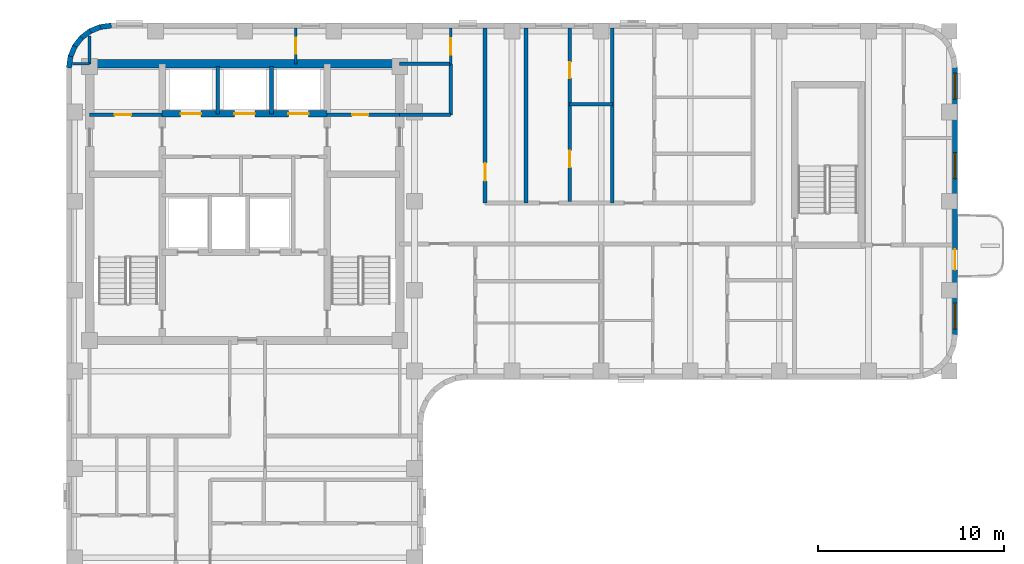
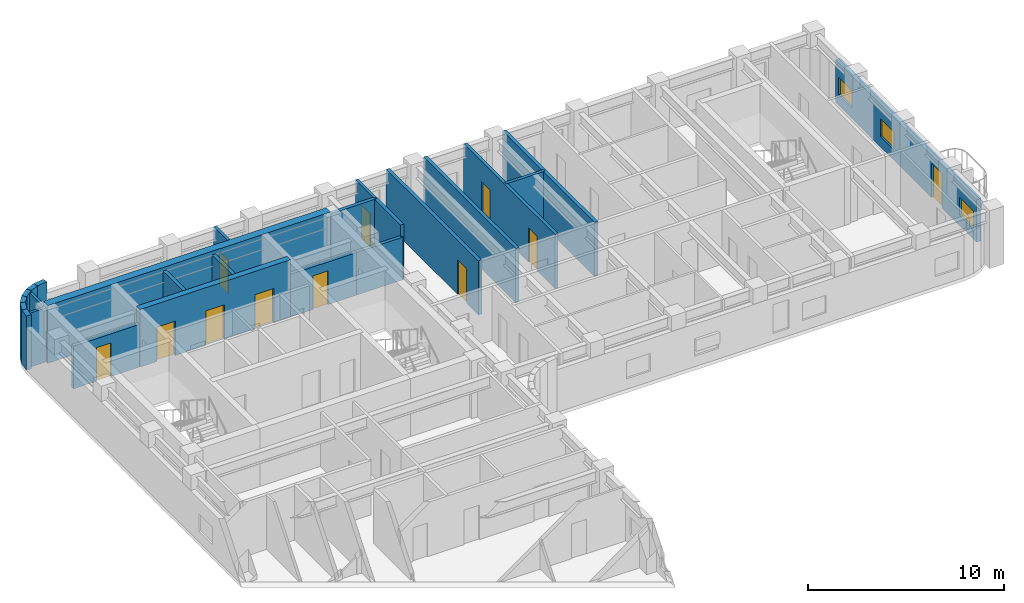
# One storey, part 6 of 10: 25 walls, 11 doors, 3 windows, 14 openings.
"""IFC4 building model written with IfcOpenShell, lengths in metres."""

from ifc_helpers import new_model, si_unit, direction, frame, frame_2d, origin, place, context, subcontext, project, spatial, rectangle, extrude, material, layer, layer_set, type_object, element, fill, save


model = new_model("IFC4")

# Units and contexts
model_context = context("Model", 3, precision=1e-05, world=origin(), true_north=direction((0.0, 1.0)))
body_context = subcontext(model_context, "Body", "Model", "MODEL_VIEW")
ifc_project = project(units=[si_unit("LENGTHUNIT", "METRE"), si_unit("AREAUNIT", "SQUARE_METRE"), si_unit("VOLUMEUNIT", "CUBIC_METRE"), si_unit("PLANEANGLEUNIT", "RADIAN"), si_unit("MASSUNIT", "GRAM", prefix="KILO")], contexts=[model_context])

# Site, building, storey
site_placement = place(None, origin())
site = spatial("IfcSite", under=ifc_project, at=site_placement, CompositionType="ELEMENT")
building_placement = place(site_placement, origin())
building = spatial("IfcBuilding", under=site, at=building_placement, Name="Orvandelia Arch Residences", CompositionType="ELEMENT")
storey_placement = place(building_placement, frame((0.0, 0.0, 225.39990234375)))
storey = spatial("IfcBuildingStorey", under=building, at=storey_placement, Name="L59", CompositionType="ELEMENT", Elevation=225.39990234375)

# Wall, openings, doors
ifc_material_1 = material(Name="Concrete C50/60", Category="concrete")
ifc_layer_1 = layer(ifc_material_1, 0.35009765625, Name="Concrete C50/60", Category="concrete")
ifc_layer_set_1 = layer_set([ifc_layer_1], Name="Concrete C50/60")
wall_type_1 = type_object("IfcWallType", Name="WL-CORE-350", PredefinedType="SHEAR", material=ifc_layer_set_1)
wall_1_placement = place(storey_placement, frame((9.9599609375, 43.10009765625, 0.0), z_axis=(0.0, 0.0, 1.0), x_axis=(1.0, 0.0, 0.0)))
wall_1 = element("IfcWall", 1, at=wall_1_placement, inside=storey, type_object=wall_type_1, Name="Core Shear Wall L59-HZ4", PredefinedType="SHEAR", context=body_context, shape_type="SweptSolid", body=[
    extrude(rectangle(XDim=8.880126953125, YDim=0.35009765625, at=frame_2d((4.43994140625, 0.0))), origin(), (0.0, 0.0, 1.0), 3.60009765625),
])
opening_1_placement = place(wall_1_placement, frame((0.989990234375, 0.0, 0.0)))
opening_1 = element("IfcOpeningElement", 2, at=opening_1_placement, cuts=wall_1, Name="Opening LD", PredefinedType="OPENING", context=body_context, shape_type="SweptSolid", body=[
    extrude(rectangle(XDim=1.10009765625, YDim=2.14990234375, at=frame_2d((0.550048828125, 1.074951171875))), frame((0.0, 0.18505859375, 0.0), z_axis=(0.0, -1.0, 0.0), x_axis=(1.0, 0.0, 0.0)), (0.0, 0.0, 1.0), 0.3701171875),
])
opening_2_placement = place(wall_1_placement, frame((3.889892578125, 0.0, 0.0)))
opening_2 = element("IfcOpeningElement", 3, at=opening_2_placement, cuts=wall_1, Name="Opening LD", PredefinedType="OPENING", context=body_context, shape_type="SweptSolid", body=[
    extrude(rectangle(XDim=1.10009765625, YDim=2.14990234375, at=frame_2d((0.550048828125, 1.074951171875))), frame((0.0, 0.18505859375, 0.0), z_axis=(0.0, -1.0, 0.0), x_axis=(1.0, 0.0, 0.0)), (0.0, 0.0, 1.0), 0.3701171875),
])
opening_3_placement = place(wall_1_placement, frame((6.7900390625, 0.0, 0.0)))
opening_3 = element("IfcOpeningElement", 4, at=opening_3_placement, cuts=wall_1, Name="Opening LD", PredefinedType="OPENING", context=body_context, shape_type="SweptSolid", body=[
    extrude(rectangle(XDim=1.10009765625, YDim=2.14990234375, at=frame_2d((0.550048828125, 1.074951171875))), frame((0.0, 0.18505859375, 0.0), z_axis=(0.0, -1.0, 0.0), x_axis=(1.0, 0.0, 0.0)), (0.0, 0.0, 1.0), 0.3701171875),
])
ifc_material_2 = material(Name="Brushed Stainless Steel Sliding Lift Door", Category="steel")
door_type_1 = type_object("IfcDoorType", Name="DR-LIFT-1100", OperationType="NOTDEFINED", PredefinedType="DOOR", material=ifc_material_2)
door_1_placement = place(opening_1_placement, origin())
door_1 = element("IfcDoor", 5, at=door_1_placement, inside=storey, type_object=door_type_1, Name="Lift Landing Door LD-PH1-L59", OperationType="SLIDING_TO_LEFT", OverallHeight=2.14990234375, OverallWidth=1.10009765625, PredefinedType="DOOR", context=body_context, shape_type="SweptSolid", body=[
    extrude(rectangle(XDim=1.10009765625, YDim=2.14990234375, at=frame_2d((0.550048828125, 1.074951171875))), frame((0.0, 0.02490234375, 0.0), z_axis=(0.0, -1.0, 0.0), x_axis=(1.0, 0.0, 0.0)), (0.0, 0.0, 1.0), 0.050048828125),
])
fill(opening_1, door_1)
door_2_placement = place(opening_2_placement, origin())
door_2 = element("IfcDoor", 6, at=door_2_placement, inside=storey, type_object=door_type_1, Name="Lift Landing Door LD-PH2-L59", OperationType="SLIDING_TO_RIGHT", OverallHeight=2.14990234375, OverallWidth=1.10009765625, PredefinedType="DOOR", context=body_context, shape_type="SweptSolid", body=[
    extrude(rectangle(XDim=1.10009765625, YDim=2.14990234375, at=frame_2d((0.550048828125, 1.074951171875))), frame((0.0, 0.02490234375, 0.0), z_axis=(0.0, -1.0, 0.0), x_axis=(1.0, 0.0, 0.0)), (0.0, 0.0, 1.0), 0.050048828125),
])
fill(opening_2, door_2)
door_3_placement = place(opening_3_placement, origin())
door_3 = element("IfcDoor", 7, at=door_3_placement, inside=storey, type_object=door_type_1, Name="Lift Landing Door LD-PH3-L59", OperationType="SLIDING_TO_LEFT", OverallHeight=2.14990234375, OverallWidth=1.10009765625, PredefinedType="DOOR", context=body_context, shape_type="SweptSolid", body=[
    extrude(rectangle(XDim=1.10009765625, YDim=2.14990234375, at=frame_2d((0.550048828125, 1.074951171875))), frame((0.0, 0.02490234375, 0.0), z_axis=(0.0, -1.0, 0.0), x_axis=(1.0, 0.0, 0.0)), (0.0, 0.0, 1.0), 0.050048828125),
])
fill(opening_3, door_3)

# Walls
ifc_layer_2 = layer(ifc_material_1, 0.449951171875, Name="Concrete C50/60", Category="concrete")
ifc_layer_set_2 = layer_set([ifc_layer_2], Name="Concrete C50/60")
wall_type_2 = type_object("IfcWallType", Name="WL-CORE-450", PredefinedType="SHEAR", material=ifc_layer_set_2)
wall_2_placement = place(storey_placement, frame((6.050048828125, 45.800048828125, 0.0), z_axis=(0.0, 0.0, 1.0), x_axis=(1.0, 0.0, 0.0)))
element("IfcWall", 8, at=wall_2_placement, inside=storey, type_object=wall_type_2, Name="Core Shear Wall L59-N", PredefinedType="SHEAR", context=body_context, shape_type="SweptSolid", body=[
    extrude(rectangle(XDim=16.699951171875, YDim=0.449951171875, at=frame_2d((8.35009765625, 0.0))), origin(), (0.0, 0.0, 1.0), 3.60009765625),
])
ifc_material_3 = material(Name="Fire-Rated Corridor Partition")
ifc_layer_3 = layer(ifc_material_3, 0.199951171875, Name="Fire-Rated Corridor Partition")
ifc_layer_set_3 = layer_set([ifc_layer_3], Name="Fire-Rated Corridor Partition")
wall_type_3 = type_object("IfcWallType", Name="WL-CORR-200", PredefinedType="PARTITIONING", material=ifc_layer_set_3)
wall_3_placement = place(storey_placement, frame((22.75, 45.800048828125, 0.0), z_axis=(0.0, 0.0, 1.0), x_axis=(1.0, 0.0, 0.0)))
element("IfcWall", 9, at=wall_3_placement, inside=storey, type_object=wall_type_3, Name="Interior Partition Wall WL-L59-NCE-S", PredefinedType="PARTITIONING", context=body_context, shape_type="SweptSolid", body=[
    extrude(rectangle(XDim=2.75, YDim=0.199951171875, at=frame_2d((1.375, 0.0))), origin(), (0.0, 0.0, 1.0), 3.380126953125),
])

# Wall, opening, door
wall_4_placement = place(storey_placement, frame((27.35009765625, 38.300048828125, 0.0), z_axis=(0.0, 0.0, 1.0), x_axis=(0.0, 1.0, 0.0)))
wall_4 = element("IfcWall", 10, at=wall_4_placement, inside=storey, type_object=wall_type_3, Name="Interior Partition Wall WL-L59-EM-NCE", PredefinedType="PARTITIONING", context=body_context, shape_type="SweptSolid", body=[
    extrude(rectangle(XDim=9.419921875, YDim=0.199951171875, at=frame_2d((4.7099609375, 0.0))), origin(), (0.0, 0.0, 1.0), 3.380126953125),
])
opening_4_placement = place(wall_4_placement, frame((1.199951171875, 0.0, 0.0)))
opening_4 = element("IfcOpeningElement", 11, at=opening_4_placement, cuts=wall_4, Name="Opening D2", PredefinedType="OPENING", context=body_context, shape_type="SweptSolid", body=[
    extrude(rectangle(XDim=0.949951171875, YDim=2.14990234375, at=frame_2d((0.47509765625, 1.074951171875))), frame((0.0, 0.10986328125, 0.0), z_axis=(0.0, -1.0, 0.0), x_axis=(1.0, 0.0, 0.0)), (0.0, 0.0, 1.0), 0.219970703125),
])
ifc_material_4 = material(Name="Solid-Core Timber Interior Fire Door", Category="wood")
door_type_2 = type_object("IfcDoorType", Name="DR-APT-950", OperationType="NOTDEFINED", PredefinedType="DOOR", material=ifc_material_4)
door_4_placement = place(opening_4_placement, origin())
door_4 = element("IfcDoor", 12, at=door_4_placement, inside=storey, type_object=door_type_2, Name="DR-L59-LDY", OperationType="SINGLE_SWING_RIGHT", OverallHeight=2.14990234375, OverallWidth=0.949951171875, PredefinedType="DOOR", context=body_context, shape_type="SweptSolid", body=[
    extrude(rectangle(XDim=0.949951171875, YDim=2.14990234375, at=frame_2d((0.47509765625, 1.074951171875))), frame((0.0, 0.02490234375, 0.0), z_axis=(0.0, -1.0, 0.0), x_axis=(1.0, 0.0, 0.0)), (0.0, 0.0, 1.0), 0.050048828125),
])
fill(opening_4, door_4)

# Walls
wall_5_placement = place(storey_placement, frame((22.75, 43.050048828125, 0.0), z_axis=(0.0, 0.0, 1.0), x_axis=(1.0, 0.0, 0.0)))
element("IfcWall", 13, at=wall_5_placement, inside=storey, type_object=wall_type_3, Name="Interior Partition Wall WL-L59-EM-LS", PredefinedType="PARTITIONING", context=body_context, shape_type="SweptSolid", body=[
    extrude(rectangle(XDim=2.75, YDim=0.199951171875, at=frame_2d((1.375, 0.0))), origin(), (0.0, 0.0, 1.0), 2.66015625),
])
wall_6_placement = place(storey_placement, frame((25.5, 43.050048828125, 0.0), z_axis=(0.0, 0.0, 1.0), x_axis=(0.0, 1.0, 0.0)))
element("IfcWall", 14, at=wall_6_placement, inside=storey, type_object=wall_type_3, Name="Interior Partition Wall WL-L59-EM-LW2", PredefinedType="PARTITIONING", context=body_context, shape_type="SweptSolid", body=[
    extrude(rectangle(XDim=2.75, YDim=0.199951171875, at=frame_2d((1.375, 0.0))), origin(), (0.0, 0.0, 1.0), 3.380126953125),
])
ifc_material_5 = material(Name="Concrete C40/50", Category="concrete")
ifc_layer_4 = layer(ifc_material_5, 0.199951171875, Name="Concrete C40/50", Category="concrete")
ifc_layer_set_4 = layer_set([ifc_layer_4], Name="Concrete C40/50")
wall_type_4 = type_object("IfcWallType", Name="WL-DEM-200", PredefinedType="SOLIDWALL", material=ifc_layer_set_4)
for number, where, z_axis, x_axis, name in (
    (15, (29.550048828125, 38.300048828125, 0.0), (0.0, 0.0, 1.0), (0.0, 1.0, 0.0), "Interior Partition Wall WL-L59-EM-LDE"),
    (16, (34.199951171875, 38.300048828125, 0.0), (0.0, 0.0, 1.0), (0.0, 1.0, 0.0), "Interior Partition Wall WL-L59-DEM-EMN-342"),
):
    element("IfcWall", number, at=place(storey_placement, frame(where, z_axis=z_axis, x_axis=x_axis)), inside=storey, type_object=wall_type_4, Name=name, PredefinedType="SOLIDWALL", context=body_context, shape_type="SweptSolid", body=[
        extrude(rectangle(XDim=9.419921875, YDim=0.199951171875, at=frame_2d((4.7099609375, 0.0))), origin(), (0.0, 0.0, 1.0), 3.380126953125),
    ])
ifc_material_6 = material(Name="Precast concrete C40/50", Category="concrete")
ifc_layer_5 = layer(ifc_material_6, 0.280029296875, Name="Precast concrete C40/50", Category="concrete")
ifc_layer_set_5 = layer_set([ifc_layer_5], Name="Precast concrete C40/50")
wall_type_5 = type_object("IfcWallType", Name="WL-EXT-STONE-280", PredefinedType="STANDARD", material=ifc_layer_set_5)
for number, where, z_axis, x_axis, name in (
    (17, (4.938720703125, 45.581787109375, 0.0), (0.0, 0.0, 1.0), (0.130555323746, 0.9914410257, 0.0), "Coral-Limestone Precast Facade Wall L59-001"),
    (18, (5.010986328125, 46.16748046875, 0.0), (0.0, 0.0, 1.0), (0.382650053678, 0.92389335771, 0.0), "Coral-Limestone Precast Facade Wall L59-002"),
    (19, (5.232666015625, 46.71484375, 0.0), (0.0, 0.0, 1.0), (0.608693302629, 0.793405610854, 0.0), "Coral-Limestone Precast Facade Wall L59-003"),
    (20, (5.588134765625, 47.18603515625, 0.0), (0.0, 0.0, 1.0), (0.793405610854, 0.608693302629, 0.0), "Coral-Limestone Precast Facade Wall L59-004"),
):
    element("IfcWall", number, at=place(storey_placement, frame(where, z_axis=z_axis, x_axis=x_axis)), inside=storey, type_object=wall_type_5, Name=name, PredefinedType="STANDARD", context=body_context, shape_type="SweptSolid", body=[
        extrude(rectangle(XDim=0.62646484375, YDim=0.280029296875, at=frame_2d((0.313232421875, 0.0))), origin(), (0.0, 0.0, 1.0), 3.380126953125),
    ])
wall_7_placement = place(storey_placement, frame((6.0537109375, 47.54931640625, 0.0), z_axis=(0.0, 0.0, 1.0), x_axis=(0.923974080304, 0.382455093999, 0.0)))
element("IfcWall", 21, at=wall_7_placement, inside=storey, type_object=wall_type_5, Name="Coral-Limestone Precast Facade Wall L59-005", PredefinedType="STANDARD", context=body_context, shape_type="SweptSolid", body=[
    extrude(rectangle(XDim=0.626220703125, YDim=0.280029296875, at=frame_2d((0.31298828125, 0.0))), origin(), (0.0, 0.0, 1.0), 3.380126953125),
])
wall_8_placement = place(storey_placement, frame((6.59716796875, 47.779296875, 0.0), z_axis=(0.0, 0.0, 1.0), x_axis=(0.9914410257, 0.130555323746, 0.0)))
element("IfcWall", 22, at=wall_8_placement, inside=storey, type_object=wall_type_5, Name="Coral-Limestone Precast Facade Wall L59-006", PredefinedType="STANDARD", context=body_context, shape_type="SweptSolid", body=[
    extrude(rectangle(XDim=0.62646484375, YDim=0.280029296875, at=frame_2d((0.313232421875, 0.0))), origin(), (0.0, 0.0, 1.0), 3.380126953125),
])

# Wall, openings, door, windows
wall_9_placement = place(storey_placement, frame((52.659912109375, 45.60009765625, 0.0), z_axis=(0.0, 0.0, 1.0), x_axis=(0.0, -1.0, 0.0)))
wall_9 = element("IfcWall", 23, at=wall_9_placement, inside=storey, type_object=wall_type_5, Name="Coral-Limestone Precast Facade Wall L59-014", PredefinedType="STANDARD", context=body_context, shape_type="SweptSolid", body=[
    extrude(rectangle(XDim=14.400146484375, YDim=0.280029296875, at=frame_2d((7.2001953125, 0.0))), origin(), (0.0, 0.0, 1.0), 2.66015625),
])
opening_5_placement = place(wall_9_placement, frame((9.800048828125, 0.0, 0.0)))
opening_5 = element("IfcOpeningElement", 24, at=opening_5_placement, cuts=wall_9, Name="Opening BD1", PredefinedType="OPENING", context=body_context, shape_type="SweptSolid", body=[
    extrude(rectangle(XDim=1.10009765625, YDim=2.14990234375, at=frame_2d((0.550048828125, 1.074951171875))), frame((0.0, 0.14990234375, 0.0), z_axis=(0.0, -1.0, 0.0), x_axis=(1.0, 0.0, 0.0)), (0.0, 0.0, 1.0), 0.300048828125),
])
opening_6_placement = place(wall_9_placement, frame((12.6923828125, 0.0, 0.64990234375)))
opening_6 = element("IfcOpeningElement", 25, at=opening_6_placement, cuts=wall_9, Name="Opening W10", PredefinedType="OPENING", context=body_context, shape_type="SweptSolid", body=[
    extrude(rectangle(XDim=1.39990234375, YDim=1.10009765625, at=frame_2d((0.699951171875, 0.550048828125))), frame((0.0, 0.14990234375, 0.0), z_axis=(0.0, -1.0, 0.0), x_axis=(1.0, 0.0, 0.0)), (0.0, 0.0, 1.0), 0.300048828125),
])
opening_7_placement = place(wall_9_placement, frame((4.577392578125, 0.0, 0.64990234375)))
opening_7 = element("IfcOpeningElement", 26, at=opening_7_placement, cuts=wall_9, Name="Opening W10", PredefinedType="OPENING", context=body_context, shape_type="SweptSolid", body=[
    extrude(rectangle(XDim=1.39990234375, YDim=1.10009765625, at=frame_2d((0.699951171875, 0.550048828125))), frame((0.0, 0.14990234375, 0.0), z_axis=(0.0, -1.0, 0.0), x_axis=(1.0, 0.0, 0.0)), (0.0, 0.0, 1.0), 0.300048828125),
])
opening_8_placement = place(wall_9_placement, frame((0.3076171875, 0.0, 0.64990234375)))
opening_8 = element("IfcOpeningElement", 27, at=opening_8_placement, cuts=wall_9, Name="Opening W10", PredefinedType="OPENING", context=body_context, shape_type="SweptSolid", body=[
    extrude(rectangle(XDim=1.39990234375, YDim=1.10009765625, at=frame_2d((0.699951171875, 0.550048828125))), frame((0.0, 0.14990234375, 0.0), z_axis=(0.0, -1.0, 0.0), x_axis=(1.0, 0.0, 0.0)), (0.0, 0.0, 1.0), 0.300048828125),
])
ifc_material_7 = material(Name="Thermally Broken Aluminium Glazed Door", Category="aluminium")
door_type_3 = type_object("IfcDoorType", Name="DR-BAL-GLAZ-1100", OperationType="NOTDEFINED", PredefinedType="DOOR", material=ifc_material_7)
door_5_placement = place(opening_5_placement, origin())
door_5 = element("IfcDoor", 28, at=door_5_placement, inside=storey, type_object=door_type_3, Name="Tree Balcony Glazed Door BAL-L59-E1", OperationType="SINGLE_SWING_LEFT", OverallHeight=2.14990234375, OverallWidth=1.10009765625, PredefinedType="DOOR", context=body_context, shape_type="SweptSolid", body=[
    extrude(rectangle(XDim=1.10009765625, YDim=2.14990234375, at=frame_2d((0.550048828125, 1.074951171875))), frame((0.0, 0.02490234375, 0.0), z_axis=(0.0, -1.0, 0.0), x_axis=(1.0, 0.0, 0.0)), (0.0, 0.0, 1.0), 0.050048828125),
])
fill(opening_5, door_5)
ifc_material_8 = material(Name="Tempered Low-E Insulated Glazing", Category="glass")
window_type = type_object("IfcWindowType", Name="WIN-CLR-1400x1100", PartitioningType="SINGLE_PANEL", PredefinedType="WINDOW", material=ifc_material_8)
window_1_placement = place(opening_6_placement, origin())
window_1 = element("IfcWindow", 29, at=window_1_placement, inside=storey, type_object=window_type, Name="Recessed Punched Window L59-010", OverallHeight=1.10009765625, OverallWidth=1.39990234375, PartitioningType="SINGLE_PANEL", PredefinedType="WINDOW", context=body_context, shape_type="SweptSolid", body=[
    extrude(rectangle(XDim=1.39990234375, YDim=1.10009765625, at=frame_2d((0.699951171875, 0.550048828125))), frame((0.0, 0.030029296875, 0.0), z_axis=(0.0, -1.0, 0.0), x_axis=(1.0, 0.0, 0.0)), (0.0, 0.0, 1.0), 0.06005859375),
])
fill(opening_6, window_1)
window_2_placement = place(opening_7_placement, origin())
window_2 = element("IfcWindow", 30, at=window_2_placement, inside=storey, type_object=window_type, Name="Recessed Punched Window L59-011", OverallHeight=1.10009765625, OverallWidth=1.39990234375, PartitioningType="SINGLE_PANEL", PredefinedType="WINDOW", context=body_context, shape_type="SweptSolid", body=[
    extrude(rectangle(XDim=1.39990234375, YDim=1.10009765625, at=frame_2d((0.699951171875, 0.550048828125))), frame((0.0, 0.030029296875, 0.0), z_axis=(0.0, -1.0, 0.0), x_axis=(1.0, 0.0, 0.0)), (0.0, 0.0, 1.0), 0.06005859375),
])
fill(opening_7, window_2)
window_3_placement = place(opening_8_placement, origin())
window_3 = element("IfcWindow", 31, at=window_3_placement, inside=storey, type_object=window_type, Name="Recessed Punched Window L59-012", OverallHeight=1.10009765625, OverallWidth=1.39990234375, PartitioningType="SINGLE_PANEL", PredefinedType="WINDOW", context=body_context, shape_type="SweptSolid", body=[
    extrude(rectangle(XDim=1.39990234375, YDim=1.10009765625, at=frame_2d((0.699951171875, 0.550048828125))), frame((0.0, 0.030029296875, 0.0), z_axis=(0.0, -1.0, 0.0), x_axis=(1.0, 0.0, 0.0)), (0.0, 0.0, 1.0), 0.06005859375),
])
fill(opening_8, window_3)

# Wall
ifc_material_9 = material(Name="Acoustic Gypsum Stud Partition")
ifc_layer_6 = layer(ifc_material_9, 0.14990234375, Name="Acoustic Gypsum Stud Partition")
ifc_layer_set_6 = layer_set([ifc_layer_6], Name="Acoustic Gypsum Stud Partition")
wall_type_6 = type_object("IfcWallType", Name="WL-PART-150", PredefinedType="PARTITIONING", material=ifc_layer_set_6)
wall_10_placement = place(storey_placement, frame((5.1201171875, 45.800048828125, 0.0), z_axis=(0.0, 0.0, 1.0), x_axis=(1.0, 0.0, 0.0)))
element("IfcWall", 32, at=wall_10_placement, inside=storey, type_object=wall_type_6, Name="Interior Partition Wall WL-L59-WF-N", PredefinedType="PARTITIONING", context=body_context, shape_type="SweptSolid", body=[
    extrude(rectangle(XDim=0.929931640625, YDim=0.14990234375, at=frame_2d((0.46484375, 0.0))), origin(), (0.0, 0.0, 1.0), 3.380126953125),
])

# Wall, opening, door
wall_11_placement = place(storey_placement, frame((25.5, 45.800048828125, 0.0), z_axis=(0.0, 0.0, 1.0), x_axis=(0.0, 1.0, 0.0)))
wall_11 = element("IfcWall", 33, at=wall_11_placement, inside=storey, type_object=wall_type_6, Name="Interior Partition Wall WL-L59-NCE-W", PredefinedType="PARTITIONING", context=body_context, shape_type="SweptSolid", body=[
    extrude(rectangle(XDim=1.919921875, YDim=0.14990234375, at=frame_2d((0.9599609375, 0.0))), origin(), (0.0, 0.0, 1.0), 3.380126953125),
])
opening_9_placement = place(wall_11_placement, frame((0.5, 0.0, 0.0)))
opening_9 = element("IfcOpeningElement", 34, at=opening_9_placement, cuts=wall_11, Name="Opening D5", PredefinedType="OPENING", context=body_context, shape_type="SweptSolid", body=[
    extrude(rectangle(XDim=0.8798828125, YDim=2.10009765625, at=frame_2d((0.43994140625, 1.050048828125))), frame((0.0, 0.0849609375, 0.0), z_axis=(0.0, -1.0, 0.0), x_axis=(1.0, 0.0, 0.0)), (0.0, 0.0, 1.0), 0.169921875),
])
ifc_material_10 = material(Name="Painted Galvanised Steel Service Door", Category="steel")
door_type_4 = type_object("IfcDoorType", Name="DR-SRV-880", OperationType="NOTDEFINED", PredefinedType="DOOR", material=ifc_material_10)
door_6_placement = place(opening_9_placement, origin())
door_6 = element("IfcDoor", 35, at=door_6_placement, inside=storey, type_object=door_type_4, Name="DR-L59-NCS2", OperationType="SINGLE_SWING_LEFT", OverallHeight=2.10009765625, OverallWidth=0.8798828125, PredefinedType="DOOR", context=body_context, shape_type="SweptSolid", body=[
    extrude(rectangle(XDim=0.8798828125, YDim=2.10009765625, at=frame_2d((0.43994140625, 1.050048828125))), frame((0.0, 0.02490234375, 0.0), z_axis=(0.0, -1.0, 0.0), x_axis=(1.0, 0.0, 0.0)), (0.0, 0.0, 1.0), 0.050048828125),
])
fill(opening_9, door_6)

# Wall
wall_12_placement = place(storey_placement, frame((6.050048828125, 45.800048828125, 0.0), z_axis=(0.0, 0.0, 1.0), x_axis=(0.0, 1.0, 0.0)))
element("IfcWall", 36, at=wall_12_placement, inside=storey, type_object=wall_type_6, Name="Interior Partition Wall WL-L59-NC-W6", PredefinedType="PARTITIONING", context=body_context, shape_type="SweptSolid", body=[
    extrude(rectangle(XDim=1.5, YDim=0.14990234375, at=frame_2d((0.75, 0.0))), origin(), (0.0, 0.0, 1.0), 3.380126953125),
])

# Wall, opening, door
wall_13_placement = place(storey_placement, frame((17.14990234375, 45.800048828125, 0.0), z_axis=(0.0, 0.0, 1.0), x_axis=(0.0, 1.0, 0.0)))
wall_13 = element("IfcWall", 37, at=wall_13_placement, inside=storey, type_object=wall_type_6, Name="Interior Partition Wall WL-L59-NC-M", PredefinedType="PARTITIONING", context=body_context, shape_type="SweptSolid", body=[
    extrude(rectangle(XDim=1.919921875, YDim=0.14990234375, at=frame_2d((0.9599609375, 0.0))), origin(), (0.0, 0.0, 1.0), 3.380126953125),
])
opening_10_placement = place(wall_13_placement, frame((0.550048828125, 0.0, 0.0)))
opening_10 = element("IfcOpeningElement", 38, at=opening_10_placement, cuts=wall_13, Name="Opening D4", PredefinedType="OPENING", context=body_context, shape_type="SweptSolid", body=[
    extrude(rectangle(XDim=0.860107421875, YDim=2.10009765625, at=frame_2d((0.43017578125, 1.050048828125))), frame((0.0, 0.0849609375, 0.0), z_axis=(0.0, -1.0, 0.0), x_axis=(1.0, 0.0, 0.0)), (0.0, 0.0, 1.0), 0.169921875),
])
ifc_material_11 = material(Name="Moisture-Sealed Timber Bathroom Door", Category="wood")
door_type_5 = type_object("IfcDoorType", Name="DR-WET-900", OperationType="NOTDEFINED", PredefinedType="DOOR", material=ifc_material_11)
door_7_placement = place(opening_10_placement, origin())
door_7 = element("IfcDoor", 39, at=door_7_placement, inside=storey, type_object=door_type_5, Name="DR-L59-NCS1", OperationType="SINGLE_SWING_LEFT", OverallHeight=2.10009765625, OverallWidth=0.860107421875, PredefinedType="DOOR", context=body_context, shape_type="SweptSolid", body=[
    extrude(rectangle(XDim=0.860107421875, YDim=2.10009765625, at=frame_2d((0.43017578125, 1.050048828125))), frame((0.0, 0.02490234375, 0.0), z_axis=(0.0, -1.0, 0.0), x_axis=(1.0, 0.0, 0.0)), (0.0, 0.0, 1.0), 0.050048828125),
])
fill(opening_10, door_7)

ifc_material_12 = material(Name="Fire-Rated Shaft Enclosure Wall")
ifc_layer_7 = layer(ifc_material_12, 0.199951171875, Name="Fire-Rated Shaft Enclosure Wall")
ifc_layer_set_7 = layer_set([ifc_layer_7], Name="Fire-Rated Shaft Enclosure Wall")
wall_type_7 = type_object("IfcWallType", Name="WL-SHAFT-200", PredefinedType="POLYGONAL", material=ifc_layer_set_7)
wall_14_placement = place(storey_placement, frame((18.840087890625, 43.050048828125, 0.0), z_axis=(0.0, 0.0, 1.0), x_axis=(1.0, 0.0, 0.0)))
wall_14 = element("IfcWall", 40, at=wall_14_placement, inside=storey, type_object=wall_type_7, Name="Interior Partition Wall WL-L59-HLE-N", PredefinedType="POLYGONAL", context=body_context, shape_type="SweptSolid", body=[
    extrude(rectangle(XDim=3.909912109375, YDim=0.199951171875, at=frame_2d((1.955078125, 0.0))), origin(), (0.0, 0.0, 1.0), 2.66015625),
])
opening_11_placement = place(wall_14_placement, frame((1.35009765625, 0.0, 0.0)))
opening_11 = element("IfcOpeningElement", 41, at=opening_11_placement, cuts=wall_14, Name="Opening D5", PredefinedType="OPENING", context=body_context, shape_type="SweptSolid", body=[
    extrude(rectangle(XDim=0.8798828125, YDim=2.10009765625, at=frame_2d((0.43994140625, 1.050048828125))), frame((0.0, 0.10986328125, 0.0), z_axis=(0.0, -1.0, 0.0), x_axis=(1.0, 0.0, 0.0)), (0.0, 0.0, 1.0), 0.219970703125),
])
door_8_placement = place(opening_11_placement, origin())
door_8 = element("IfcDoor", 42, at=door_8_placement, inside=storey, type_object=door_type_4, Name="DR-L59-CSB1", OperationType="SINGLE_SWING_LEFT", OverallHeight=2.10009765625, OverallWidth=0.8798828125, PredefinedType="DOOR", context=body_context, shape_type="SweptSolid", body=[
    extrude(rectangle(XDim=0.8798828125, YDim=2.10009765625, at=frame_2d((0.43994140625, 1.050048828125))), frame((0.0, 0.02490234375, 0.0), z_axis=(0.0, -1.0, 0.0), x_axis=(1.0, 0.0, 0.0)), (0.0, 0.0, 1.0), 0.050048828125),
])
fill(opening_11, door_8)

wall_15_placement = place(storey_placement, frame((6.050048828125, 43.050048828125, 0.0), z_axis=(0.0, 0.0, 1.0), x_axis=(1.0, 0.0, 0.0)))
wall_15 = element("IfcWall", 43, at=wall_15_placement, inside=storey, type_object=wall_type_7, Name="Interior Partition Wall WL-L59-HLW-N", PredefinedType="POLYGONAL", context=body_context, shape_type="SweptSolid", body=[
    extrude(rectangle(XDim=3.909912109375, YDim=0.199951171875, at=frame_2d((1.955078125, 0.0))), origin(), (0.0, 0.0, 1.0), 2.66015625),
])
opening_12_placement = place(wall_15_placement, frame((1.35009765625, 0.0, 0.0)))
opening_12 = element("IfcOpeningElement", 44, at=opening_12_placement, cuts=wall_15, Name="Opening D5", PredefinedType="OPENING", context=body_context, shape_type="SweptSolid", body=[
    extrude(rectangle(XDim=0.8798828125, YDim=2.10009765625, at=frame_2d((0.43994140625, 1.050048828125))), frame((0.0, 0.10986328125, 0.0), z_axis=(0.0, -1.0, 0.0), x_axis=(1.0, 0.0, 0.0)), (0.0, 0.0, 1.0), 0.219970703125),
])
door_9_placement = place(opening_12_placement, origin())
door_9 = element("IfcDoor", 45, at=door_9_placement, inside=storey, type_object=door_type_4, Name="Riser Service Door L59", OperationType="SINGLE_SWING_RIGHT", OverallHeight=2.10009765625, OverallWidth=0.8798828125, PredefinedType="DOOR", context=body_context, shape_type="SweptSolid", body=[
    extrude(rectangle(XDim=0.8798828125, YDim=2.10009765625, at=frame_2d((0.43994140625, 1.050048828125))), frame((0.0, 0.02490234375, 0.0), z_axis=(0.0, -1.0, 0.0), x_axis=(1.0, 0.0, 0.0)), (0.0, 0.0, 1.0), 0.050048828125),
])
fill(opening_12, door_9)

# Walls
for number, where, z_axis, x_axis, name in (
    (46, (12.949951171875, 43.10009765625, 0.0), (0.0, 0.0, 1.0), (0.0, 1.0, 0.0), "Interior Partition Wall WL-L59-PHD1"),
    (47, (15.85009765625, 43.10009765625, 0.0), (0.0, 0.0, 1.0), (0.0, 1.0, 0.0), "Interior Partition Wall WL-L59-PHD2"),
):
    element("IfcWall", number, at=place(storey_placement, frame(where, z_axis=z_axis, x_axis=x_axis)), inside=storey, type_object=wall_type_7, Name=name, PredefinedType="POLYGONAL", context=body_context, shape_type="SweptSolid", body=[
        extrude(rectangle(XDim=2.5498046875, YDim=0.199951171875, at=frame_2d((1.27490234375, 0.0))), origin(), (0.0, 0.0, 1.0), 3.380126953125),
    ])

# Wall, openings, doors
ifc_material_13 = material(Name="Moisture-Resistant Plumbing Wall")
ifc_layer_8 = layer(ifc_material_13, 0.179931640625, Name="Moisture-Resistant Plumbing Wall")
ifc_layer_set_8 = layer_set([ifc_layer_8], Name="Moisture-Resistant Plumbing Wall")
wall_type_8 = type_object("IfcWallType", Name="WL-WET-180", PredefinedType="PLUMBINGWALL", material=ifc_layer_set_8)
wall_16_placement = place(storey_placement, frame((31.909912109375, 38.3798828125, 0.0), z_axis=(0.0, 0.0, 1.0), x_axis=(0.0, 1.0, 0.0)))
wall_16 = element("IfcWall", 48, at=wall_16_placement, inside=storey, type_object=wall_type_8, Name="Interior Partition Wall WL-L59-U07-VT", PredefinedType="PLUMBINGWALL", context=body_context, shape_type="SweptSolid", body=[
    extrude(rectangle(XDim=9.340087890625, YDim=0.179931640625, at=frame_2d((4.669921875, 0.0))), origin(), (0.0, 0.0, 1.0), 3.380126953125),
])
opening_13_placement = place(wall_16_placement, frame((1.84130859375, 0.0, 0.0)))
opening_13 = element("IfcOpeningElement", 49, at=opening_13_placement, cuts=wall_16, Name="Opening D3", PredefinedType="OPENING", context=body_context, shape_type="SweptSolid", body=[
    extrude(rectangle(XDim=0.89990234375, YDim=2.14990234375, at=frame_2d((0.449951171875, 1.074951171875))), frame((0.0, 0.10009765625, 0.0), z_axis=(0.0, -1.0, 0.0), x_axis=(1.0, 0.0, 0.0)), (0.0, 0.0, 1.0), 0.199951171875),
])
opening_14_placement = place(wall_16_placement, frame((6.64501953125, 0.0, 0.0)))
opening_14 = element("IfcOpeningElement", 50, at=opening_14_placement, cuts=wall_16, Name="Opening D4", PredefinedType="OPENING", context=body_context, shape_type="SweptSolid", body=[
    extrude(rectangle(XDim=0.860107421875, YDim=2.10009765625, at=frame_2d((0.43017578125, 1.050048828125))), frame((0.0, 0.10009765625, 0.0), z_axis=(0.0, -1.0, 0.0), x_axis=(1.0, 0.0, 0.0)), (0.0, 0.0, 1.0), 0.199951171875),
])
ifc_material_14 = material(Name="Engineered Timber Flush Door", Category="wood")
door_type_6 = type_object("IfcDoorType", Name="DR-INT-900", OperationType="NOTDEFINED", PredefinedType="DOOR", material=ifc_material_14)
door_10_placement = place(opening_13_placement, origin())
door_10 = element("IfcDoor", 51, at=door_10_placement, inside=storey, type_object=door_type_6, Name="DR-L59-U07-KIT", OperationType="SINGLE_SWING_LEFT", OverallHeight=2.14990234375, OverallWidth=0.89990234375, PredefinedType="DOOR", context=body_context, shape_type="SweptSolid", body=[
    extrude(rectangle(XDim=0.89990234375, YDim=2.14990234375, at=frame_2d((0.449951171875, 1.074951171875))), frame((0.0, 0.02490234375, 0.0), z_axis=(0.0, -1.0, 0.0), x_axis=(1.0, 0.0, 0.0)), (0.0, 0.0, 1.0), 0.050048828125),
])
fill(opening_13, door_10)
door_11_placement = place(opening_14_placement, origin())
door_11 = element("IfcDoor", 52, at=door_11_placement, inside=storey, type_object=door_type_5, Name="DR-L59-U07-BTH", OperationType="SINGLE_SWING_RIGHT", OverallHeight=2.10009765625, OverallWidth=0.860107421875, PredefinedType="DOOR", context=body_context, shape_type="SweptSolid", body=[
    extrude(rectangle(XDim=0.860107421875, YDim=2.10009765625, at=frame_2d((0.43017578125, 1.050048828125))), frame((0.0, 0.02490234375, 0.0), z_axis=(0.0, -1.0, 0.0), x_axis=(1.0, 0.0, 0.0)), (0.0, 0.0, 1.0), 0.050048828125),
])
fill(opening_14, door_11)

# Wall
wall_17_placement = place(storey_placement, frame((31.909912109375, 43.6220703125, 0.0), z_axis=(0.0, 0.0, 1.0), x_axis=(1.0, 0.0, 0.0)))
element("IfcWall", 53, at=wall_17_placement, inside=storey, type_object=wall_type_8, Name="Interior Partition Wall WL-L59-U07-H1", PredefinedType="PLUMBINGWALL", context=body_context, shape_type="SweptSolid", body=[
    extrude(rectangle(XDim=2.31005859375, YDim=0.179931640625, at=frame_2d((1.155029296875, 0.0))), origin(), (0.0, 0.0, 1.0), 3.380126953125),
])

save(model, "model.ifc")
